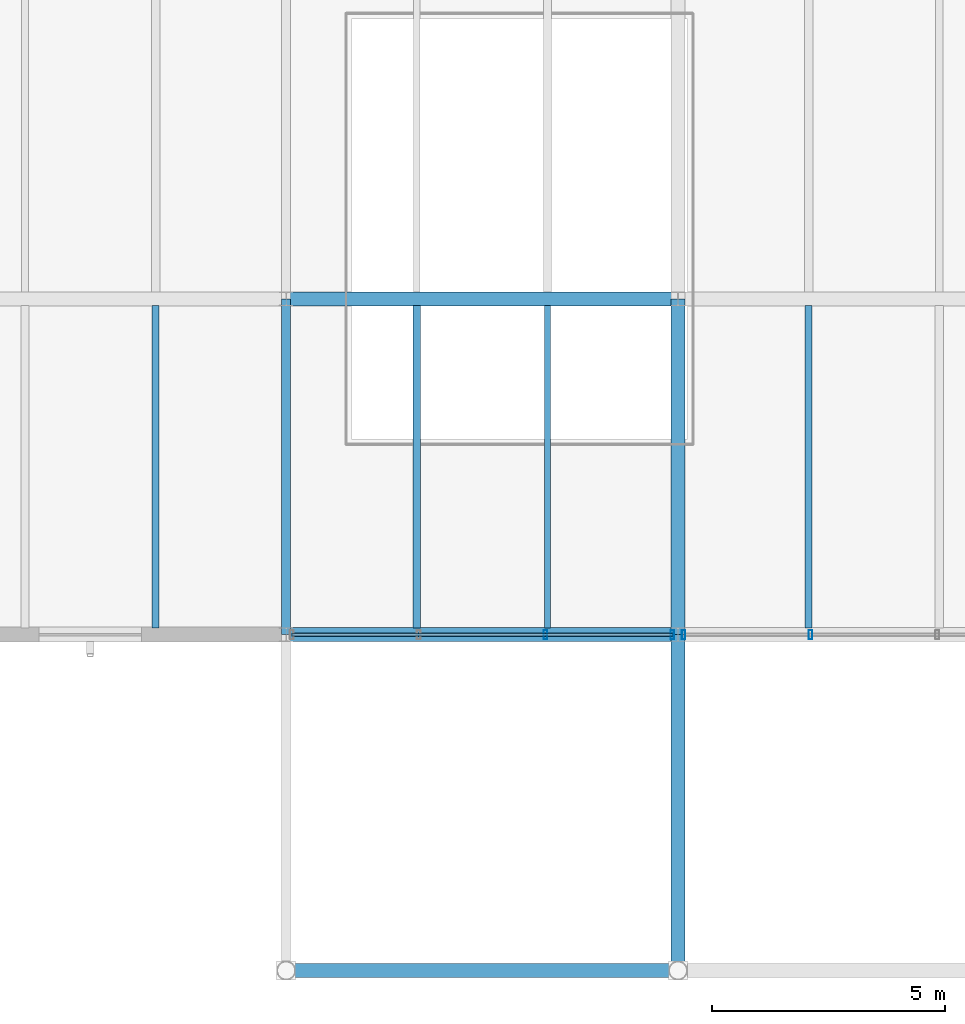
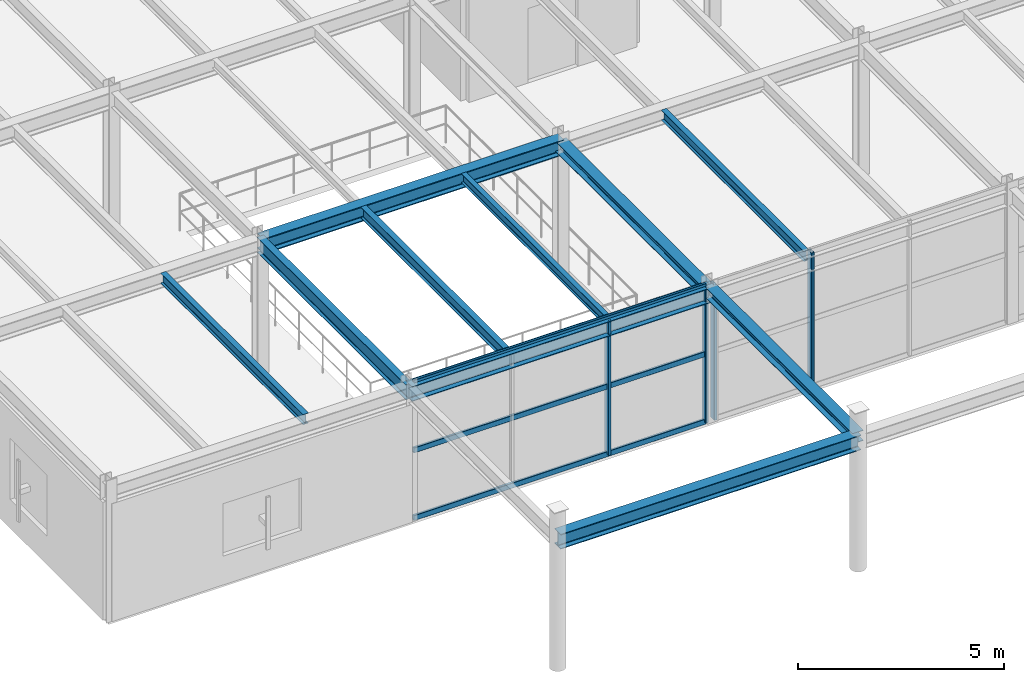
# One storey, part 26 of 109: 10 beams, 7 members, 2 elements without a shape of their own.
"""IFC4 building model written with IfcOpenShell, lengths in metres."""

import ifcopenshell
import ifcopenshell.guid

model = None  # the IFC model being written
_history = None  # IfcOwnerHistory: only IFC2X3 demands one
_inside = {}  # id of a spatial element -> (the spatial element, [elements in it])
_under = {}  # id of a project, library or spatial element -> (it, [spatial elements below it])
_declared = {}  # id of a project -> (the project, [libraries it declares])
_typed = {}  # id of a type object -> (the type object, [elements of that type])
_made_of = {}  # id of a material, layer set ... -> (it, [elements and type objects made of it])


def new_model(schema):
    """Start an empty IFC model of exactly this schema.

    Asked for "IFC4X3", IfcOpenShell would pick the latest addendum, in which some entities
    have other attributes; the version numbers below select the first issue.
    IFC2X3 requires an IfcOwnerHistory on every rooted entity: one is made here for all.
    """
    global model, _history
    if schema == "IFC4X3":
        model = ifcopenshell.file(schema_version=(4, 3, 0, 0))
    else:
        model = ifcopenshell.file(schema=schema)
    _inside.clear()
    _under.clear()
    _declared.clear()
    _typed.clear()
    _made_of.clear()
    _history = None
    if model.schema == "IFC2X3":
        org = make("IfcOrganization", Name="unknown")
        user = make(
            "IfcPersonAndOrganization",
            ThePerson=make("IfcPerson", FamilyName="unknown"),
            TheOrganization=org,
        )
        app = make(
            "IfcApplication",
            ApplicationDeveloper=org,
            Version="unknown",
            ApplicationFullName="unknown",
            ApplicationIdentifier="unknown",
        )
        _history = make(
            "IfcOwnerHistory",
            OwningUser=user,
            OwningApplication=app,
            ChangeAction="ADDED",
            CreationDate=0,
        )
    return model


def make(cls, **values):
    """One entity of the class cls with the attributes given. An attribute that is None is left unset."""
    return model.create_entity(
        cls, **{name: value for name, value in values.items() if value is not None}
    )


def rooted(cls, **values):
    """An entity with a GlobalId (a new one), such as an element, a storey or a relation."""
    return make(cls, GlobalId=ifcopenshell.guid.new(), OwnerHistory=_history, **values)


def si_unit(unit_type, name, prefix=None):
    """IfcSIUnit, for example si_unit("LENGTHUNIT", "METRE", prefix="MILLI")."""
    return make("IfcSIUnit", UnitType=unit_type, Prefix=prefix, Name=name)


def derived_unit(unit_type, elements):
    """IfcDerivedUnit: a product of units, each with its exponent."""
    return make(
        "IfcDerivedUnit",
        Elements=[
            make("IfcDerivedUnitElement", Unit=unit, Exponent=power)
            for unit, power in elements
        ],
        UnitType=unit_type,
    )


def assignment(units):
    """IfcUnitAssignment: the units of a project."""
    return None if units is None else make("IfcUnitAssignment", Units=units)


def point(xyz):
    """IfcCartesianPoint."""
    return None if xyz is None else make("IfcCartesianPoint", Coordinates=xyz)


def direction(xyz):
    """IfcDirection."""
    return None if xyz is None else make("IfcDirection", DirectionRatios=xyz)


def frame(location, z_axis=None, x_axis=None):
    """IfcAxis2Placement3D, a coordinate frame: its origin and axes. An axis left out is left unset."""
    return make(
        "IfcAxis2Placement3D",
        Location=point(location),
        Axis=direction(z_axis),
        RefDirection=direction(x_axis),
    )


def frame_2d(location, x_axis=None):
    """IfcAxis2Placement2D, a coordinate frame in the plane: its origin and x axis."""
    return make(
        "IfcAxis2Placement2D", Location=point(location), RefDirection=direction(x_axis)
    )


def origin():
    """The frame at (0, 0, 0) with its axes left unset."""
    return frame((0.0, 0.0, 0.0))


def origin_2d():
    """The frame at (0, 0) in the plane with its x axis left unset."""
    return frame_2d((0.0, 0.0))


def place(relative_to, where):
    """IfcLocalPlacement: puts the frame where relative to a parent placement (None: the world)."""
    return make(
        "IfcLocalPlacement", PlacementRelTo=relative_to, RelativePlacement=where
    )


def context(
    kind, dimensions, precision=None, world=None, true_north=None, identifier=None
):
    """IfcGeometricRepresentationContext, for example the 3D "Model" context."""
    return make(
        "IfcGeometricRepresentationContext",
        ContextIdentifier=identifier,
        ContextType=kind,
        CoordinateSpaceDimension=dimensions,
        Precision=precision,
        WorldCoordinateSystem=world,
        TrueNorth=true_north,
    )


def subcontext(parent, identifier, kind, view, scale=None):
    """IfcGeometricRepresentationSubContext, for example "Body" below "Model"."""
    return make(
        "IfcGeometricRepresentationSubContext",
        ContextIdentifier=identifier,
        ContextType=kind,
        ParentContext=parent,
        TargetScale=scale,
        TargetView=view,
    )


def project(units=None, contexts=None):
    """IfcProject with its units and contexts."""
    return rooted(
        "IfcProject",
        Name="project",
        RepresentationContexts=contexts,
        UnitsInContext=assignment(units),
    )


def spatial(cls, under=None, at=None, **own):
    """A site, building, storey or space (cls), placed at a placement, below another one or the project."""
    s = rooted(cls, ObjectPlacement=at, **own)
    if under is not None:
        _under.setdefault(under.id(), (under, []))[1].append(s)
    return s


def profile(cls, at=None, kind="AREA", **sizes):
    """A parametric profile (cls). Its sizes go by their IFC names, for example OverallWidth=200.0."""
    return make(cls, ProfileType=kind, Position=at, **sizes)


def hollow_rectangle(**sizes):
    """IfcRectangleHollowProfileDef."""
    return profile("IfcRectangleHollowProfileDef", **sizes)


def i_section(**sizes):
    """IfcIShapeProfileDef."""
    return profile("IfcIShapeProfileDef", **sizes)


def extrude(swept, where, along, depth):
    """IfcExtrudedAreaSolid: the profile swept, set in the frame where, extruded along a direction by depth."""
    return make(
        "IfcExtrudedAreaSolid",
        SweptArea=swept,
        Position=where,
        ExtrudedDirection=direction(along),
        Depth=depth,
    )


def shape(context_of_items, identifier, shape_type, items):
    """IfcShapeRepresentation: the items that make up one representation, for example the "Body"."""
    return make(
        "IfcShapeRepresentation",
        ContextOfItems=context_of_items,
        RepresentationIdentifier=identifier,
        RepresentationType=shape_type,
        Items=items,
    )


def material(Name=None, Category=None):
    """IfcMaterial."""
    return make("IfcMaterial", Name=Name, Category=Category)


def material_profile(
    of_material, cross_section, Name=None, Category=None, Priority=None
):
    """IfcMaterialProfile: a cross section and its material."""
    return make(
        "IfcMaterialProfile",
        Name=Name,
        Material=of_material,
        Profile=cross_section,
        Priority=Priority,
        Category=Category,
    )


def profile_set(profiles, Name=None, composite=None):
    """IfcMaterialProfileSet."""
    return make(
        "IfcMaterialProfileSet",
        Name=Name,
        MaterialProfiles=profiles,
        CompositeProfile=composite,
    )


def made_of(thing, what):
    """Note that an element or type object is made of a material, layer set ...; save() writes the relation."""
    if what is not None:
        _made_of.setdefault(what.id(), (what, []))[1].append(thing)
    return thing


def type_object(cls, material=None, **own):
    """A type object (cls), such as IfcWallType, which elements share."""
    return made_of(rooted(cls, **own), material)


def element(
    cls,
    number,
    at=None,
    inside=None,
    cuts=None,
    type_object=None,
    material=None,
    context=None,
    identifier="Body",
    shape_type=None,
    held_by="IfcProductDefinitionShape",
    body=None,
    shapes=None,
    **own,
):
    """One element of the class cls, such as IfcWall. Its Tag is "e" and its number.

    at: its placement. inside: the storey or other place that contains it. cuts: it is an
    opening in that element (IfcRelVoidsElement). A single representation is given by context,
    identifier, shape_type and body (its items); several are given by shapes. held_by: the class
    of the entity that holds the representations. save() writes the other relations.
    """
    e = rooted(cls, Tag="e%d" % number, ObjectPlacement=at, **own)
    if body is not None:
        shapes = [shape(context, identifier, shape_type, body)]
    if shapes is not None:
        e.Representation = make(held_by, Representations=shapes)
    if inside is not None:
        _inside.setdefault(inside.id(), (inside, []))[1].append(e)
    if cuts is not None:
        rooted(
            "IfcRelVoidsElement", RelatingBuildingElement=cuts, RelatedOpeningElement=e
        )
    if type_object is not None:
        _typed.setdefault(type_object.id(), (type_object, []))[1].append(e)
    return made_of(e, material)


def aggregate(whole, parts):
    """IfcRelAggregates: a whole, such as a stair, and the parts it consists of."""
    return rooted("IfcRelAggregates", RelatingObject=whole, RelatedObjects=parts)


def save(model, path):
    """Write the relations noted so far, then the file.

    IfcRelAggregates (storeys below a building ...), IfcRelContainedInSpatialStructure (elements
    in a storey), IfcRelDefinesByType, IfcRelAssociatesMaterial and IfcRelDeclares: one each for
    every whole, place, type object, material and project.
    """
    for whole, parts in _under.values():
        aggregate(whole, parts)
    for where, things in _inside.values():
        rooted(
            "IfcRelContainedInSpatialStructure",
            RelatedElements=things,
            RelatingStructure=where,
        )
    for kind, things in _typed.values():
        rooted("IfcRelDefinesByType", RelatedObjects=things, RelatingType=kind)
    for what, things in _made_of.values():
        rooted("IfcRelAssociatesMaterial", RelatedObjects=things, RelatingMaterial=what)
    for by, libraries in _declared.values():
        rooted("IfcRelDeclares", RelatingContext=by, RelatedDefinitions=libraries)
    model.write(path)


model = new_model("IFC4")

# Units and contexts
model_context = context("Model", 3, precision=1e-05, world=origin(), true_north=direction((0.0, 1.0)))
body_context = subcontext(model_context, "Body", "Model", "MODEL_VIEW")
ifc_project = project(units=[si_unit("LENGTHUNIT", "METRE"), si_unit("AREAUNIT", "SQUARE_METRE"), si_unit("VOLUMEUNIT", "CUBIC_METRE"), si_unit("PLANEANGLEUNIT", "RADIAN"), si_unit("MASSUNIT", "GRAM", prefix="KILO"), derived_unit("THERMALTRANSMITTANCEUNIT", [(si_unit("MASSUNIT", "GRAM", prefix="KILO"), 1), (si_unit("TIMEUNIT", "SECOND"), -3), (si_unit("THERMODYNAMICTEMPERATUREUNIT", "KELVIN"), -1)])], contexts=[model_context])

# Site, building, storey
site_placement = place(None, origin())
site = spatial("IfcSite", under=ifc_project, at=site_placement, CompositionType="ELEMENT")
building_placement = place(site_placement, origin())
building = spatial("IfcBuilding", under=site, at=building_placement, Name="Kharveza Railside Sports Centre", CompositionType="ELEMENT")
storey_placement = place(building_placement, frame((0.0, 0.0, 4.5)))
storey = spatial("IfcBuildingStorey", under=building, at=storey_placement, Name="L01", CompositionType="ELEMENT", Elevation=4.5)

# Beams
ifc_material_1 = material(Name="Steel S355J2", Category="steel")
ifc_material_profile_1 = material_profile(ifc_material_1, i_section(OverallWidth=0.18994140625, OverallDepth=0.449951171875, WebThickness=0.009521484375, FlangeThickness=0.0146484375, FilletRadius=0.02099609375, at=origin_2d()), Name="IPE 450")
ifc_profile_set_1 = profile_set([ifc_material_profile_1], Name="Steel S355J2")
beam_type_1 = type_object("IfcBeamType", Name="BM-G04", PredefinedType="T_BEAM", material=ifc_profile_set_1)
beam_1_placement = place(storey_placement, frame((84.0, 7.199951171875, 3.77490234375), z_axis=(0.0, 1.0, 0.0), x_axis=(-1.0, 0.0, 0.0)))
element("IfcBeam", 1, at=beam_1_placement, inside=storey, type_object=beam_type_1, Name="BM-NS-L01-B04-X840-Y72", PredefinedType="T_BEAM", context=body_context, shape_type="SweptSolid", body=[
    extrude(i_section(OverallWidth=0.18994140625, OverallDepth=0.449951171875, WebThickness=0.009521484375, FlangeThickness=0.0146484375, FilletRadius=0.02099609375, at=origin_2d()), origin(), (0.0, 0.0, 1.0), 7.199951171875),
])
ifc_material_profile_2 = material_profile(ifc_material_1, i_section(OverallWidth=0.300048828125, OverallDepth=0.449951171875, WebThickness=0.013916015625, FlangeThickness=0.02587890625, FilletRadius=0.027099609375, at=origin_2d()), Name="HEB 450")
ifc_profile_set_2 = profile_set([ifc_material_profile_2], Name="Steel S355J2")
beam_type_2 = type_object("IfcBeamType", Name="BM-G06", PredefinedType="T_BEAM", material=ifc_profile_set_2)
beam_2_placement = place(storey_placement, frame((84.0, 14.39990234375, 3.77490234375), z_axis=(1.0, 0.0, 0.0), x_axis=(0.0, 1.0, 0.0)))
element("IfcBeam", 2, at=beam_2_placement, inside=storey, type_object=beam_type_2, Name="BM-EW-L01-B06-X840-Y144", PredefinedType="T_BEAM", context=body_context, shape_type="SweptSolid", body=[
    extrude(i_section(OverallWidth=0.300048828125, OverallDepth=0.449951171875, WebThickness=0.013916015625, FlangeThickness=0.02587890625, FilletRadius=0.027099609375, at=origin_2d()), origin(), (0.0, 0.0, 1.0), 8.39990234375),
])
ifc_material_profile_3 = material_profile(ifc_material_1, i_section(OverallWidth=0.159912109375, OverallDepth=0.330078125, WebThickness=0.007568359375, FlangeThickness=0.011474609375, FilletRadius=0.01806640625, at=origin_2d()), Name="IPE 330")
ifc_profile_set_3 = profile_set([ifc_material_profile_3], Name="Steel S355J2")
beam_type_3 = type_object("IfcBeamType", Name="BM-S03", PredefinedType="BEAM", material=ifc_profile_set_3)
beam_3_placement = place(storey_placement, frame((86.800048828125, 7.346923828125, 3.8349609375), z_axis=(0.0, 1.0, 0.0), x_axis=(-1.0, 0.0, 0.0)))
element("IfcBeam", 3, at=beam_3_placement, inside=storey, type_object=beam_type_3, Name="BM-SEC-L01-B11-X868-Y72", PredefinedType="BEAM", context=body_context, shape_type="SweptSolid", body=[
    extrude(i_section(OverallWidth=0.159912109375, OverallDepth=0.330078125, WebThickness=0.007568359375, FlangeThickness=0.011474609375, FilletRadius=0.01806640625, at=origin_2d()), origin(), (0.0, 0.0, 1.0), 6.906005859375),
])
ifc_material_profile_4 = material_profile(ifc_material_1, i_section(OverallWidth=0.14990234375, OverallDepth=0.300048828125, WebThickness=0.007080078125, FlangeThickness=0.0107421875, FilletRadius=0.014892578125, at=origin_2d()), Name="IPE 300")
ifc_profile_set_4 = profile_set([ifc_material_profile_4], Name="Steel S355J2")
beam_type_4 = type_object("IfcBeamType", Name="BM-S04", PredefinedType="BEAM", material=ifc_profile_set_4)
for number, where, z_axis, x_axis, name in (
    (4, (81.199951171875, 7.346923828125, 3.85009765625), (0.0, 1.0, 0.0), (-1.0, 0.0, 0.0), "BM-SEC-L01-B12-X812-Y72"),
    (5, (95.199951171875, 7.346923828125, 3.77001953125), (0.0, 1.0, 0.0), (-1.0, 0.0, 0.0), "BM-SEC-L01-B12-X952-Y72"),
):
    element("IfcBeam", number, at=place(storey_placement, frame(where, z_axis=z_axis, x_axis=x_axis)), inside=storey, type_object=beam_type_4, Name=name, PredefinedType="BEAM", context=body_context, shape_type="SweptSolid", body=[
        extrude(i_section(OverallWidth=0.14990234375, OverallDepth=0.300048828125, WebThickness=0.007080078125, FlangeThickness=0.0107421875, FilletRadius=0.014892578125, at=origin_2d()), origin(), (0.0, 0.0, 1.0), 6.906005859375),
    ])
ifc_material_profile_5 = material_profile(ifc_material_1, i_section(OverallWidth=0.135009765625, OverallDepth=0.27001953125, WebThickness=0.006591796875, FlangeThickness=0.01025390625, FilletRadius=0.014892578125, at=origin_2d()), Name="IPE 270")
ifc_profile_set_5 = profile_set([ifc_material_profile_5], Name="Steel S355J2")
beam_type_5 = type_object("IfcBeamType", Name="BM-S05", PredefinedType="BEAM", material=ifc_profile_set_5)
beam_4_placement = place(storey_placement, frame((89.60009765625, 7.346923828125, 3.864990234375), z_axis=(0.0, 1.0, 0.0), x_axis=(-1.0, 0.0, 0.0)))
element("IfcBeam", 6, at=beam_4_placement, inside=storey, type_object=beam_type_5, Name="BM-SEC-L01-B13-X896-Y72", PredefinedType="BEAM", context=body_context, shape_type="SweptSolid", body=[
    extrude(i_section(OverallWidth=0.135009765625, OverallDepth=0.27001953125, WebThickness=0.006591796875, FlangeThickness=0.01025390625, FilletRadius=0.014892578125, at=origin_2d()), origin(), (0.0, 0.0, 1.0), 6.906005859375),
])
ifc_material_profile_6 = material_profile(ifc_material_1, i_section(OverallWidth=0.300048828125, OverallDepth=0.31005859375, WebThickness=0.009033203125, FlangeThickness=0.015380859375, FilletRadius=0.027099609375, at=origin_2d()), Name="HEA 320")
ifc_profile_set_6 = profile_set([ifc_material_profile_6], Name="Steel S355J2")
beam_type_6 = type_object("IfcBeamType", Name="BM-S06", PredefinedType="BEAM", material=ifc_profile_set_6)
for number, where, z_axis, x_axis, name in (
    (7, (92.39990234375, 0.0, 3.844970703125), (0.0, 1.0, 0.0), (-1.0, 0.0, 0.0), "BM-NS-L01-B14-X924-Y0"),
    (8, (92.39990234375, 7.199951171875, 3.764892578125), (0.0, 1.0, 0.0), (-1.0, 0.0, 0.0), "BM-NS-L01-B14-X924-Y72"),
):
    element("IfcBeam", number, at=place(storey_placement, frame(where, z_axis=z_axis, x_axis=x_axis)), inside=storey, type_object=beam_type_6, Name=name, PredefinedType="BEAM", context=body_context, shape_type="SweptSolid", body=[
        extrude(i_section(OverallWidth=0.300048828125, OverallDepth=0.31005859375, WebThickness=0.009033203125, FlangeThickness=0.015380859375, FilletRadius=0.027099609375, at=origin_2d()), origin(), (0.0, 0.0, 1.0), 7.199951171875),
    ])
ifc_material_profile_7 = material_profile(ifc_material_1, i_section(OverallWidth=0.300048828125, OverallDepth=0.43994140625, WebThickness=0.011474609375, FlangeThickness=0.02099609375, FilletRadius=0.027099609375, at=origin_2d()), Name="HEA 450")
ifc_profile_set_7 = profile_set([ifc_material_profile_7], Name="Steel S355J2")
beam_type_7 = type_object("IfcBeamType", Name="BM-SP01", PredefinedType="SPANDREL", material=ifc_profile_set_7)
for number, where, z_axis, x_axis, name in (
    (9, (84.0, 0.0, 3.780029296875), (1.0, 0.0, 0.0), (0.0, 1.0, 0.0), "BM-EW-L01-B15-X840-Y0"),
    (10, (84.0, 7.199951171875, 3.780029296875), (1.0, 0.0, 0.0), (0.0, 1.0, 0.0), "BM-EW-L01-B15-X840-Y72"),
):
    element("IfcBeam", number, at=place(storey_placement, frame(where, z_axis=z_axis, x_axis=x_axis)), inside=storey, type_object=beam_type_7, Name=name, PredefinedType="SPANDREL", context=body_context, shape_type="SweptSolid", body=[
        extrude(i_section(OverallWidth=0.300048828125, OverallDepth=0.43994140625, WebThickness=0.011474609375, FlangeThickness=0.02099609375, FilletRadius=0.027099609375, at=origin_2d()), origin(), (0.0, 0.0, 1.0), 8.39990234375),
    ])

# Curtain wall, members
ifc_material_2 = material(Name="Low-E solar-control laminated glass", Category="glass")
curtain_wall_type = type_object("IfcCurtainWallType", Name="CW-WG01", PredefinedType="NOTDEFINED", material=ifc_material_2)
curtain_wall_1_placement = place(storey_placement, origin())
curtain_wall_1 = element("IfcCurtainWall", 11, at=curtain_wall_1_placement, inside=storey, type_object=curtain_wall_type, Name="CW-WG-L01-CW-WG01-X882-Y72", PredefinedType="NOTDEFINED")
ifc_material_3 = material(Name="Anodised aluminium 6063-T6", Category="aluminium")
ifc_material_profile_8 = material_profile(ifc_material_3, hollow_rectangle(XDim=0.080078125, YDim=0.199951171875, WallThickness=0.00634765625, InnerFilletRadius=0.00634765625, OuterFilletRadius=0.0126953125, at=origin_2d()), Name="RHS 80x200x6.3")
ifc_profile_set_8 = profile_set([ifc_material_profile_8], Name="Anodised aluminium 6063-T6")
member_type_1 = type_object("IfcMemberType", Name="CW-ML02", PredefinedType="MULLION", material=ifc_profile_set_8)
member_1_placement = place(storey_placement, frame((89.56005859375, 7.199951171875, 0.0), z_axis=(0.0, 0.0, 1.0), x_axis=(1.0, 0.0, 0.0)))
member_1 = element("IfcMember", 12, at=member_1_placement, type_object=member_type_1, Name="CW-WG-L01-CW-WG01-X882-Y72-ML3", PredefinedType="MULLION", context=body_context, shape_type="SweptSolid", body=[
    extrude(hollow_rectangle(XDim=0.080078125, YDim=0.199951171875, WallThickness=0.00634765625, InnerFilletRadius=0.00634765625, OuterFilletRadius=0.0126953125, at=origin_2d()), origin(), (0.0, 0.0, 1.0), 4.0),
])
member_2_placement = place(storey_placement, frame((92.280029296875, 7.199951171875, 0.0), z_axis=(0.0, 0.0, 1.0), x_axis=(1.0, 0.0, 0.0)))
member_2 = element("IfcMember", 13, at=member_2_placement, type_object=member_type_1, Name="CW-WG-L01-CW-WG01-X882-Y72-ML4", PredefinedType="MULLION", context=body_context, shape_type="SweptSolid", body=[
    extrude(hollow_rectangle(XDim=0.080078125, YDim=0.199951171875, WallThickness=0.00634765625, InnerFilletRadius=0.00634765625, OuterFilletRadius=0.0126953125, at=origin_2d()), origin(), (0.0, 0.0, 1.0), 4.0),
])

curtain_wall_2_placement = place(storey_placement, origin())
curtain_wall_2 = element("IfcCurtainWall", 14, at=curtain_wall_2_placement, inside=storey, type_object=curtain_wall_type, Name="CW-WG-L01-CW-WG01-X966-Y72", PredefinedType="NOTDEFINED")
member_3_placement = place(storey_placement, frame((92.52001953125, 7.199951171875, 0.0), z_axis=(0.0, 0.0, 1.0), x_axis=(1.0, 0.0, 0.0)))
member_3 = element("IfcMember", 15, at=member_3_placement, type_object=member_type_1, Name="CW-WG-L01-CW-WG01-X966-Y72-ML1", PredefinedType="MULLION", context=body_context, shape_type="SweptSolid", body=[
    extrude(hollow_rectangle(XDim=0.080078125, YDim=0.199951171875, WallThickness=0.00634765625, InnerFilletRadius=0.00634765625, OuterFilletRadius=0.0126953125, at=origin_2d()), origin(), (0.0, 0.0, 1.0), 4.0),
])
member_4_placement = place(storey_placement, frame((95.239990234375, 7.199951171875, 0.0), z_axis=(0.0, 0.0, 1.0), x_axis=(1.0, 0.0, 0.0)))
member_4 = element("IfcMember", 16, at=member_4_placement, type_object=member_type_1, Name="CW-WG-L01-CW-WG01-X966-Y72-ML2", PredefinedType="MULLION", context=body_context, shape_type="SweptSolid", body=[
    extrude(hollow_rectangle(XDim=0.080078125, YDim=0.199951171875, WallThickness=0.00634765625, InnerFilletRadius=0.00634765625, OuterFilletRadius=0.0126953125, at=origin_2d()), origin(), (0.0, 0.0, 1.0), 4.0),
])
aggregate(curtain_wall_2, [member_3, member_4])

# Member
ifc_material_profile_9 = material_profile(ifc_material_3, hollow_rectangle(XDim=0.070068359375, YDim=0.159912109375, WallThickness=0.00634765625, InnerFilletRadius=0.00634765625, OuterFilletRadius=0.0126953125, at=origin_2d()), Name="RHS 70x160x6.3")
ifc_profile_set_9 = profile_set([ifc_material_profile_9], Name="Anodised aluminium 6063-T6")
member_type_2 = type_object("IfcMemberType", Name="CW-TR02", PredefinedType="USERDEFINED", material=ifc_profile_set_9)
member_5_placement = place(storey_placement, frame((84.1201171875, 7.199951171875, 0.0), z_axis=(1.0, 0.0, 0.0), x_axis=(0.0, 1.0, 0.0)))
member_5 = element("IfcMember", 17, at=member_5_placement, type_object=member_type_2, Name="CW-WG-L01-CW-WG01-X882-Y72-TR1", ObjectType="TRANSOM", PredefinedType="USERDEFINED", context=body_context, shape_type="SweptSolid", body=[
    extrude(hollow_rectangle(XDim=0.070068359375, YDim=0.159912109375, WallThickness=0.00634765625, InnerFilletRadius=0.00634765625, OuterFilletRadius=0.0126953125, at=origin_2d()), origin(), (0.0, 0.0, 1.0), 8.159912109375),
])

member_6_placement = place(storey_placement, frame((84.1201171875, 7.199951171875, 2.0), z_axis=(1.0, 0.0, 0.0), x_axis=(0.0, 1.0, 0.0)))
member_6 = element("IfcMember", 18, at=member_6_placement, type_object=member_type_2, Name="CW-WG-L01-CW-WG01-X882-Y72-TR2", ObjectType="TRANSOM", PredefinedType="USERDEFINED", context=body_context, shape_type="SweptSolid", body=[
    extrude(hollow_rectangle(XDim=0.070068359375, YDim=0.159912109375, WallThickness=0.00634765625, InnerFilletRadius=0.00634765625, OuterFilletRadius=0.0126953125, at=origin_2d()), origin(), (0.0, 0.0, 1.0), 8.159912109375),
])

member_7_placement = place(storey_placement, frame((84.1201171875, 7.199951171875, 4.0), z_axis=(1.0, 0.0, 0.0), x_axis=(0.0, 1.0, 0.0)))
member_7 = element("IfcMember", 19, at=member_7_placement, type_object=member_type_2, Name="CW-WG-L01-CW-WG01-X882-Y72-TR3", ObjectType="TRANSOM", PredefinedType="USERDEFINED", context=body_context, shape_type="SweptSolid", body=[
    extrude(hollow_rectangle(XDim=0.070068359375, YDim=0.159912109375, WallThickness=0.00634765625, InnerFilletRadius=0.00634765625, OuterFilletRadius=0.0126953125, at=origin_2d()), origin(), (0.0, 0.0, 1.0), 8.159912109375),
])

aggregate(curtain_wall_1, [member_1, member_2, member_5, member_6, member_7])

save(model, "model.ifc")
